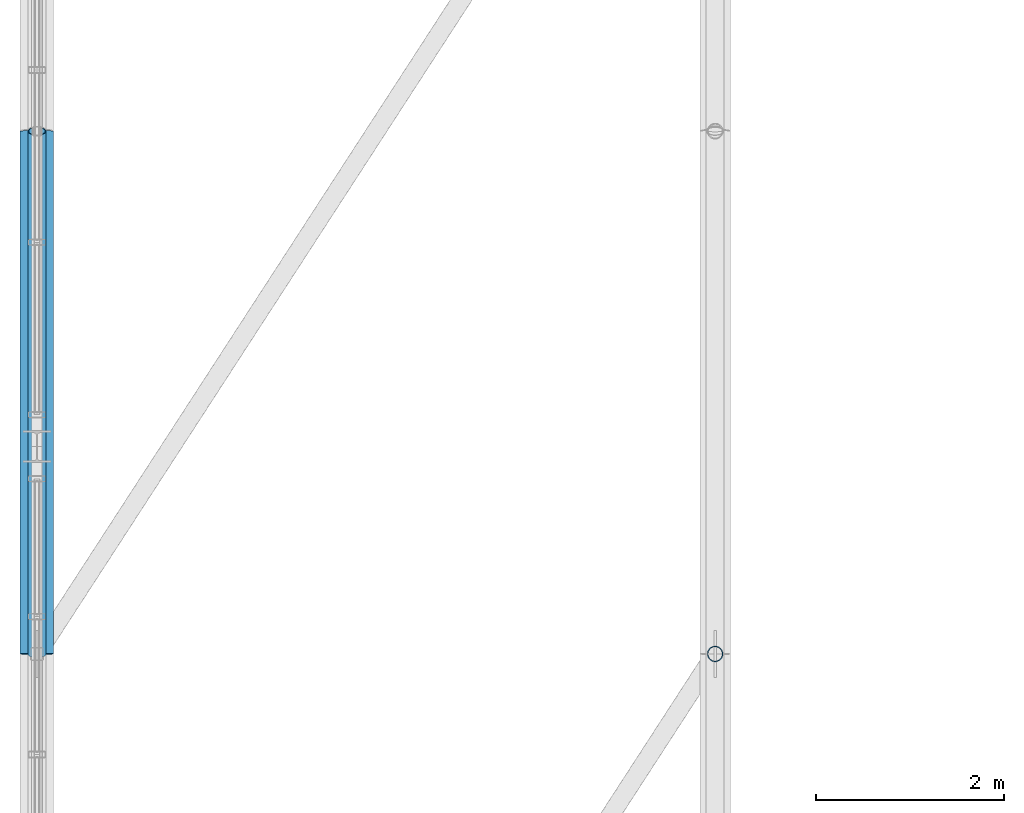
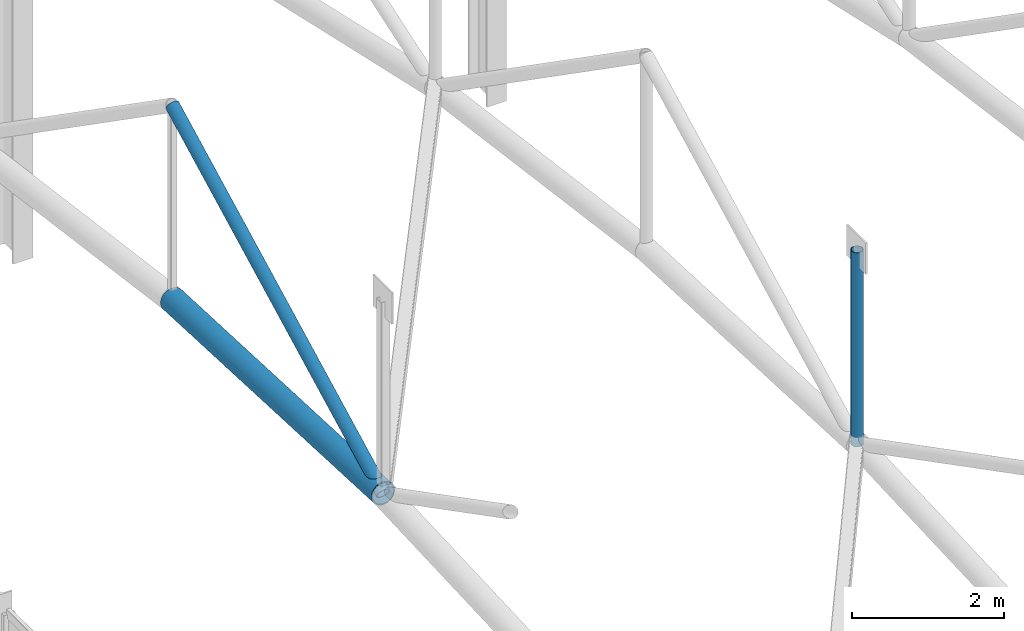
# One storey, part 34 of 153: 3 members.
"""IFC4 building model written with IfcOpenShell, lengths in metres."""

from ifc_helpers import new_model, si_unit, derived_unit, direction, frame, origin, origin_2d, place, context, subcontext, project, spatial, hollow_circle, extrude, material, material_profile, profile_set, type_object, element, save


model = new_model("IFC4")

# Units and contexts
model_context = context("Model", 3, precision=1e-05, world=origin(), true_north=direction((0.0, 1.0)))
body_context = subcontext(model_context, "Body", "Model", "MODEL_VIEW")
ifc_project = project(units=[si_unit("LENGTHUNIT", "METRE"), si_unit("AREAUNIT", "SQUARE_METRE"), si_unit("VOLUMEUNIT", "CUBIC_METRE"), si_unit("PLANEANGLEUNIT", "RADIAN"), si_unit("MASSUNIT", "GRAM", prefix="KILO"), derived_unit("THERMALTRANSMITTANCEUNIT", [(si_unit("POWERUNIT", "WATT"), 1), (si_unit("LENGTHUNIT", "METRE"), -2), (si_unit("THERMODYNAMICTEMPERATUREUNIT", "KELVIN"), -1)])], contexts=[model_context])

# Site, building, storey
site_placement = place(None, origin())
site = spatial("IfcSite", under=ifc_project, at=site_placement, CompositionType="ELEMENT")
building_placement = place(site_placement, origin())
building = spatial("IfcBuilding", under=site, at=building_placement, Name="Keldorne Ridge Multi-Sports Centre", CompositionType="ELEMENT")
storey_placement = place(building_placement, frame((0.0, 0.0, 9.60009765625)))
storey = spatial("IfcBuildingStorey", under=building, at=storey_placement, Name="L02", CompositionType="ELEMENT", Elevation=9.60009765625)

# Members
ifc_material = material(Name="Steel S355", Category="steel")
ifc_material_profile_1 = material_profile(ifc_material, hollow_circle(Radius=0.177734375, WallThickness=0.01611328125, at=origin_2d()), Name="CHS 355.6x16")
ifc_profile_set_1 = profile_set([ifc_material_profile_1], Name="Steel S355")
member_type_1 = type_object("IfcMemberType", Name="MEM-TC-01", PredefinedType="CHORD", material=ifc_profile_set_1)
member_1_placement = place(storey_placement, frame((6.0, 31.800048828125, 12.099853515625), z_axis=(0.0, 0.99898703105, -0.044999019918), x_axis=(-1.0, 0.0, 0.0)))
element("IfcMember", 1, at=member_1_placement, inside=storey, type_object=member_type_1, Name="Main Hall ROOF TRUSS AT-01 bottom chord 5", PredefinedType="CHORD", context=body_context, shape_type="SweptSolid", body=[
    extrude(hollow_circle(Radius=0.177734375, WallThickness=0.01611328125, at=origin_2d()), origin(), (0.0, 0.0, 1.0), 5.5556640625),
])
ifc_material_profile_2 = material_profile(ifc_material, hollow_circle(Radius=0.096923828125, WallThickness=0.010009765625, at=origin_2d()), Name="CHS 193.7x10")
ifc_profile_set_2 = profile_set([ifc_material_profile_2], Name="Steel S355")
member_type_2 = type_object("IfcMemberType", Name="MEM-TD-01", PredefinedType="BRACE", material=ifc_profile_set_2)
member_2_placement = place(storey_placement, frame((6.0, 31.800048828125, 12.099853515625), z_axis=(0.0, 0.888256676743, 0.459347446082), x_axis=(-1.0, 0.0, 0.0)))
element("IfcMember", 2, at=member_2_placement, inside=storey, type_object=member_type_2, Name="Main Hall ROOF TRUSS AT-01 diagonal 5", PredefinedType="BRACE", context=body_context, shape_type="SweptSolid", body=[
    extrude(hollow_circle(Radius=0.096923828125, WallThickness=0.010009765625, at=origin_2d()), origin(), (0.0, 0.0, 1.0), 6.248291015625),
])
ifc_material_profile_3 = material_profile(ifc_material, hollow_circle(Radius=0.084228515625, WallThickness=0.010009765625, at=origin_2d()), Name="CHS 168.3x10")
ifc_profile_set_3 = profile_set([ifc_material_profile_3], Name="Steel S355")
member_type_3 = type_object("IfcMemberType", Name="MEM-TV-01", PredefinedType="STRUT", material=ifc_profile_set_3)
member_3_placement = place(storey_placement, frame((13.199951171875, 31.800048828125, 10.3798828125), z_axis=(0.0, 0.0, 1.0), x_axis=(1.0, 0.0, 0.0)))
element("IfcMember", 3, at=member_3_placement, inside=storey, type_object=member_type_3, Name="Main Hall ROOF TRUSS AT-02 vertical 5", PredefinedType="STRUT", context=body_context, shape_type="SweptSolid", body=[
    extrude(hollow_circle(Radius=0.084228515625, WallThickness=0.010009765625, at=origin_2d()), origin(), (0.0, 0.0, 1.0), 3.1201171875),
])

save(model, "model.ifc")
